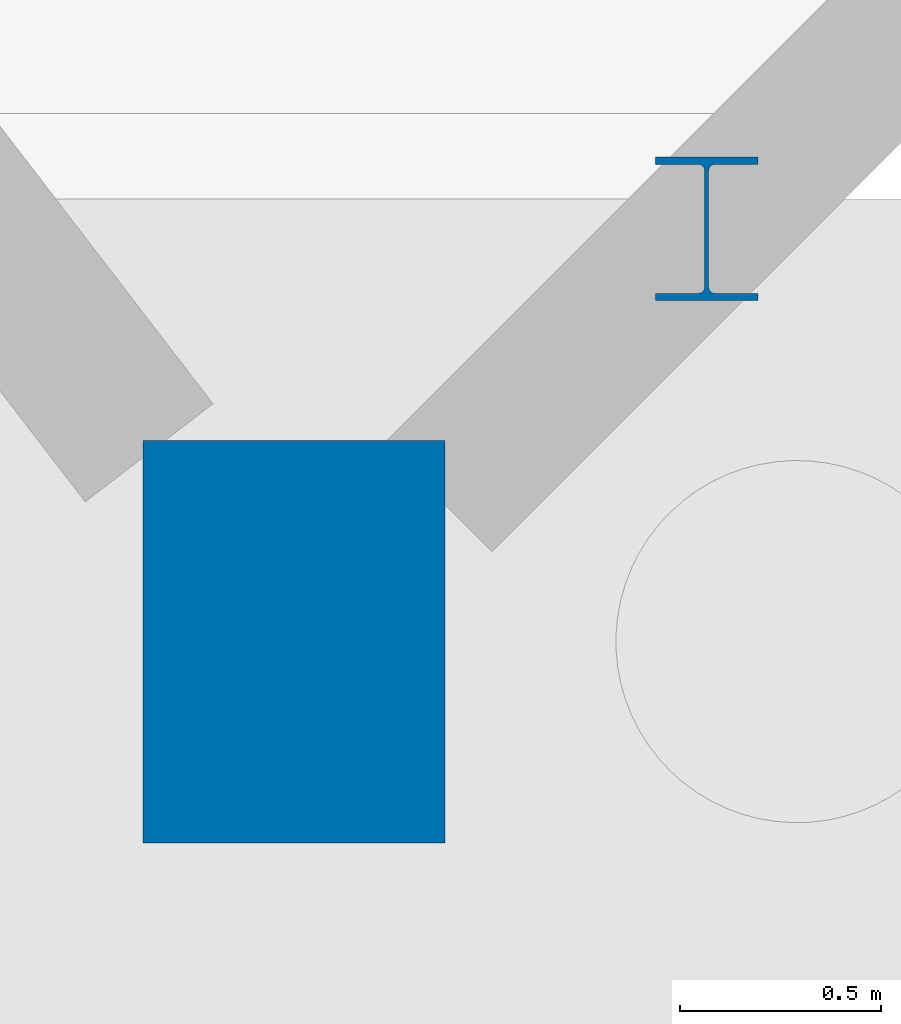
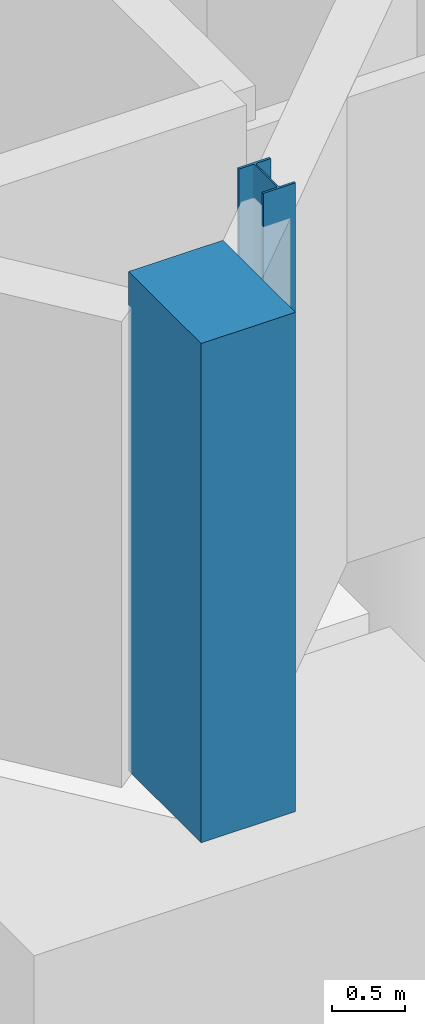
# One storey, part 8 of 43: 2 columns.
"""IFC4 building model written with IfcOpenShell, lengths in metres."""

import ifcopenshell
import ifcopenshell.guid

model = None  # the IFC model being written
_history = None  # IfcOwnerHistory: only IFC2X3 demands one
_inside = {}  # id of a spatial element -> (the spatial element, [elements in it])
_under = {}  # id of a project, library or spatial element -> (it, [spatial elements below it])
_declared = {}  # id of a project -> (the project, [libraries it declares])
_typed = {}  # id of a type object -> (the type object, [elements of that type])
_made_of = {}  # id of a material, layer set ... -> (it, [elements and type objects made of it])


def new_model(schema):
    """Start an empty IFC model of exactly this schema.

    Asked for "IFC4X3", IfcOpenShell would pick the latest addendum, in which some entities
    have other attributes; the version numbers below select the first issue.
    IFC2X3 requires an IfcOwnerHistory on every rooted entity: one is made here for all.
    """
    global model, _history
    if schema == "IFC4X3":
        model = ifcopenshell.file(schema_version=(4, 3, 0, 0))
    else:
        model = ifcopenshell.file(schema=schema)
    _inside.clear()
    _under.clear()
    _declared.clear()
    _typed.clear()
    _made_of.clear()
    _history = None
    if model.schema == "IFC2X3":
        org = make("IfcOrganization", Name="unknown")
        user = make(
            "IfcPersonAndOrganization",
            ThePerson=make("IfcPerson", FamilyName="unknown"),
            TheOrganization=org,
        )
        app = make(
            "IfcApplication",
            ApplicationDeveloper=org,
            Version="unknown",
            ApplicationFullName="unknown",
            ApplicationIdentifier="unknown",
        )
        _history = make(
            "IfcOwnerHistory",
            OwningUser=user,
            OwningApplication=app,
            ChangeAction="ADDED",
            CreationDate=0,
        )
    return model


def make(cls, **values):
    """One entity of the class cls with the attributes given. An attribute that is None is left unset."""
    return model.create_entity(
        cls, **{name: value for name, value in values.items() if value is not None}
    )


def rooted(cls, **values):
    """An entity with a GlobalId (a new one), such as an element, a storey or a relation."""
    return make(cls, GlobalId=ifcopenshell.guid.new(), OwnerHistory=_history, **values)


def si_unit(unit_type, name, prefix=None):
    """IfcSIUnit, for example si_unit("LENGTHUNIT", "METRE", prefix="MILLI")."""
    return make("IfcSIUnit", UnitType=unit_type, Prefix=prefix, Name=name)


def assignment(units):
    """IfcUnitAssignment: the units of a project."""
    return None if units is None else make("IfcUnitAssignment", Units=units)


def point(xyz):
    """IfcCartesianPoint."""
    return None if xyz is None else make("IfcCartesianPoint", Coordinates=xyz)


def direction(xyz):
    """IfcDirection."""
    return None if xyz is None else make("IfcDirection", DirectionRatios=xyz)


def frame(location, z_axis=None, x_axis=None):
    """IfcAxis2Placement3D, a coordinate frame: its origin and axes. An axis left out is left unset."""
    return make(
        "IfcAxis2Placement3D",
        Location=point(location),
        Axis=direction(z_axis),
        RefDirection=direction(x_axis),
    )


def frame_2d(location, x_axis=None):
    """IfcAxis2Placement2D, a coordinate frame in the plane: its origin and x axis."""
    return make(
        "IfcAxis2Placement2D", Location=point(location), RefDirection=direction(x_axis)
    )


def origin():
    """The frame at (0, 0, 0) with its axes left unset."""
    return frame((0.0, 0.0, 0.0))


def origin_2d():
    """The frame at (0, 0) in the plane with its x axis left unset."""
    return frame_2d((0.0, 0.0))


def place(relative_to, where):
    """IfcLocalPlacement: puts the frame where relative to a parent placement (None: the world)."""
    return make(
        "IfcLocalPlacement", PlacementRelTo=relative_to, RelativePlacement=where
    )


def context(
    kind, dimensions, precision=None, world=None, true_north=None, identifier=None
):
    """IfcGeometricRepresentationContext, for example the 3D "Model" context."""
    return make(
        "IfcGeometricRepresentationContext",
        ContextIdentifier=identifier,
        ContextType=kind,
        CoordinateSpaceDimension=dimensions,
        Precision=precision,
        WorldCoordinateSystem=world,
        TrueNorth=true_north,
    )


def subcontext(parent, identifier, kind, view, scale=None):
    """IfcGeometricRepresentationSubContext, for example "Body" below "Model"."""
    return make(
        "IfcGeometricRepresentationSubContext",
        ContextIdentifier=identifier,
        ContextType=kind,
        ParentContext=parent,
        TargetScale=scale,
        TargetView=view,
    )


def project(units=None, contexts=None):
    """IfcProject with its units and contexts."""
    return rooted(
        "IfcProject",
        Name="project",
        RepresentationContexts=contexts,
        UnitsInContext=assignment(units),
    )


def spatial(cls, under=None, at=None, **own):
    """A site, building, storey or space (cls), placed at a placement, below another one or the project."""
    s = rooted(cls, ObjectPlacement=at, **own)
    if under is not None:
        _under.setdefault(under.id(), (under, []))[1].append(s)
    return s


def profile(cls, at=None, kind="AREA", **sizes):
    """A parametric profile (cls). Its sizes go by their IFC names, for example OverallWidth=200.0."""
    return make(cls, ProfileType=kind, Position=at, **sizes)


def rectangle(**sizes):
    """IfcRectangleProfileDef."""
    return profile("IfcRectangleProfileDef", **sizes)


def i_section(**sizes):
    """IfcIShapeProfileDef."""
    return profile("IfcIShapeProfileDef", **sizes)


def extrude(swept, where, along, depth):
    """IfcExtrudedAreaSolid: the profile swept, set in the frame where, extruded along a direction by depth."""
    return make(
        "IfcExtrudedAreaSolid",
        SweptArea=swept,
        Position=where,
        ExtrudedDirection=direction(along),
        Depth=depth,
    )


def shape(context_of_items, identifier, shape_type, items):
    """IfcShapeRepresentation: the items that make up one representation, for example the "Body"."""
    return make(
        "IfcShapeRepresentation",
        ContextOfItems=context_of_items,
        RepresentationIdentifier=identifier,
        RepresentationType=shape_type,
        Items=items,
    )


def material(Name=None, Category=None):
    """IfcMaterial."""
    return make("IfcMaterial", Name=Name, Category=Category)


def material_profile(
    of_material, cross_section, Name=None, Category=None, Priority=None
):
    """IfcMaterialProfile: a cross section and its material."""
    return make(
        "IfcMaterialProfile",
        Name=Name,
        Material=of_material,
        Profile=cross_section,
        Priority=Priority,
        Category=Category,
    )


def profile_set(profiles, Name=None, composite=None):
    """IfcMaterialProfileSet."""
    return make(
        "IfcMaterialProfileSet",
        Name=Name,
        MaterialProfiles=profiles,
        CompositeProfile=composite,
    )


def made_of(thing, what):
    """Note that an element or type object is made of a material, layer set ...; save() writes the relation."""
    if what is not None:
        _made_of.setdefault(what.id(), (what, []))[1].append(thing)
    return thing


def type_object(cls, material=None, **own):
    """A type object (cls), such as IfcWallType, which elements share."""
    return made_of(rooted(cls, **own), material)


def element(
    cls,
    number,
    at=None,
    inside=None,
    cuts=None,
    type_object=None,
    material=None,
    context=None,
    identifier="Body",
    shape_type=None,
    held_by="IfcProductDefinitionShape",
    body=None,
    shapes=None,
    **own,
):
    """One element of the class cls, such as IfcWall. Its Tag is "e" and its number.

    at: its placement. inside: the storey or other place that contains it. cuts: it is an
    opening in that element (IfcRelVoidsElement). A single representation is given by context,
    identifier, shape_type and body (its items); several are given by shapes. held_by: the class
    of the entity that holds the representations. save() writes the other relations.
    """
    e = rooted(cls, Tag="e%d" % number, ObjectPlacement=at, **own)
    if body is not None:
        shapes = [shape(context, identifier, shape_type, body)]
    if shapes is not None:
        e.Representation = make(held_by, Representations=shapes)
    if inside is not None:
        _inside.setdefault(inside.id(), (inside, []))[1].append(e)
    if cuts is not None:
        rooted(
            "IfcRelVoidsElement", RelatingBuildingElement=cuts, RelatedOpeningElement=e
        )
    if type_object is not None:
        _typed.setdefault(type_object.id(), (type_object, []))[1].append(e)
    return made_of(e, material)


def aggregate(whole, parts):
    """IfcRelAggregates: a whole, such as a stair, and the parts it consists of."""
    return rooted("IfcRelAggregates", RelatingObject=whole, RelatedObjects=parts)


def save(model, path):
    """Write the relations noted so far, then the file.

    IfcRelAggregates (storeys below a building ...), IfcRelContainedInSpatialStructure (elements
    in a storey), IfcRelDefinesByType, IfcRelAssociatesMaterial and IfcRelDeclares: one each for
    every whole, place, type object, material and project.
    """
    for whole, parts in _under.values():
        aggregate(whole, parts)
    for where, things in _inside.values():
        rooted(
            "IfcRelContainedInSpatialStructure",
            RelatedElements=things,
            RelatingStructure=where,
        )
    for kind, things in _typed.values():
        rooted("IfcRelDefinesByType", RelatedObjects=things, RelatingType=kind)
    for what, things in _made_of.values():
        rooted("IfcRelAssociatesMaterial", RelatedObjects=things, RelatingMaterial=what)
    for by, libraries in _declared.values():
        rooted("IfcRelDeclares", RelatingContext=by, RelatedDefinitions=libraries)
    model.write(path)


model = new_model("IFC4")

# Units and contexts
model_context = context("Model", 3, precision=1e-05, world=origin(), true_north=direction((0.0, 1.0)))
body_context = subcontext(model_context, "Body", "Model", "MODEL_VIEW")
ifc_project = project(units=[si_unit("LENGTHUNIT", "METRE"), si_unit("AREAUNIT", "SQUARE_METRE"), si_unit("VOLUMEUNIT", "CUBIC_METRE"), si_unit("PLANEANGLEUNIT", "RADIAN"), si_unit("MASSUNIT", "GRAM", prefix="KILO")], contexts=[model_context])

# Site, building, storey
site_placement = place(None, origin())
site = spatial("IfcSite", under=ifc_project, at=site_placement, CompositionType="ELEMENT")
building_placement = place(site_placement, origin())
building = spatial("IfcBuilding", under=site, at=building_placement, Name="Vespera Passage Community Centre", CompositionType="ELEMENT")
storey_placement = place(building_placement, frame((0.0, 0.0, -4.199951171875)))
storey = spatial("IfcBuildingStorey", under=building, at=storey_placement, Name="B1", CompositionType="ELEMENT", Elevation=-4.199951171875)

# Columns
ifc_material_1 = material(Name="Concrete f'c 45 MPa", Category="concrete")
ifc_material_profile_1 = material_profile(ifc_material_1, rectangle(XDim=0.75, YDim=1.0, at=origin_2d()), Name="RC1000X750")
ifc_profile_set_1 = profile_set([ifc_material_profile_1], Name="Concrete f'c 45 MPa")
column_type_1 = type_object("IfcColumnType", Name="COL-RC1000X750E", PredefinedType="COLUMN", material=ifc_profile_set_1)
column_1_placement = place(storey_placement, frame((45.40234375, 32.90234375, 0.0), z_axis=(0.0, 0.0, 1.0), x_axis=(1.0, 0.0, 0.0)))
element("IfcColumn", 1, at=column_1_placement, inside=storey, type_object=column_type_1, Name="B1 Column V4-O15", PredefinedType="COLUMN", context=body_context, shape_type="SweptSolid", body=[
    extrude(rectangle(XDim=0.75, YDim=1.0, at=origin_2d()), origin(), (0.0, 0.0, 1.0), 4.199951171875),
])
ifc_material_2 = material(Name="Steel ASTM A992 Grade 50", Category="steel")
ifc_material_profile_2 = material_profile(ifc_material_2, i_section(OverallWidth=0.2548828125, OverallDepth=0.356689453125, WebThickness=0.010498046875, FlangeThickness=0.018310546875, FilletRadius=0.01513671875, at=origin_2d()), Name="W14X68")
ifc_profile_set_2 = profile_set([ifc_material_profile_2], Name="Steel ASTM A992 Grade 50")
column_type_2 = type_object("IfcColumnType", Name="COL-W14X68I", PredefinedType="COLUMN", material=ifc_profile_set_2)
column_2_placement = place(storey_placement, frame((46.427734375, 33.927734375, 0.0), z_axis=(0.0, 0.0, 1.0), x_axis=(1.0, 0.0, 0.0)))
element("IfcColumn", 2, at=column_2_placement, inside=storey, type_object=column_type_2, Name="B1 Column TRANC-O150", PredefinedType="COLUMN", context=body_context, shape_type="SweptSolid", body=[
    extrude(i_section(OverallWidth=0.2548828125, OverallDepth=0.356689453125, WebThickness=0.010498046875, FlangeThickness=0.018310546875, FilletRadius=0.01513671875, at=origin_2d()), origin(), (0.0, 0.0, 1.0), 4.199951171875),
])

save(model, "model.ifc")
